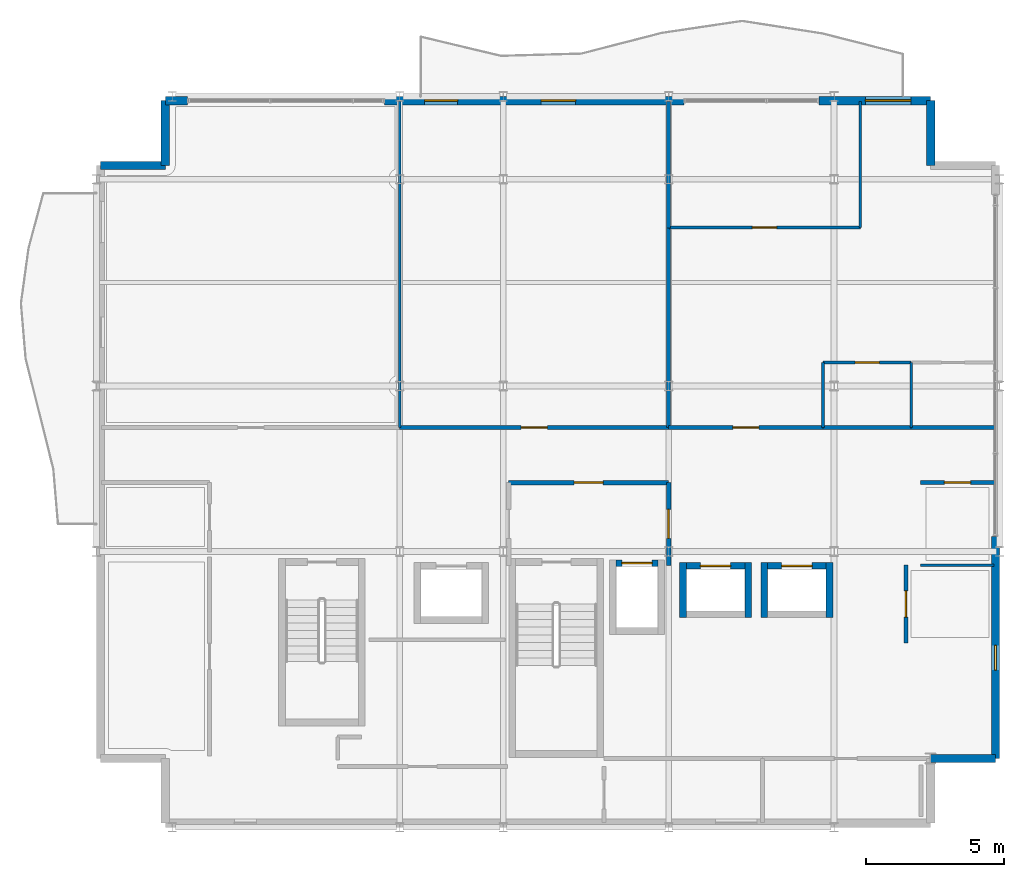
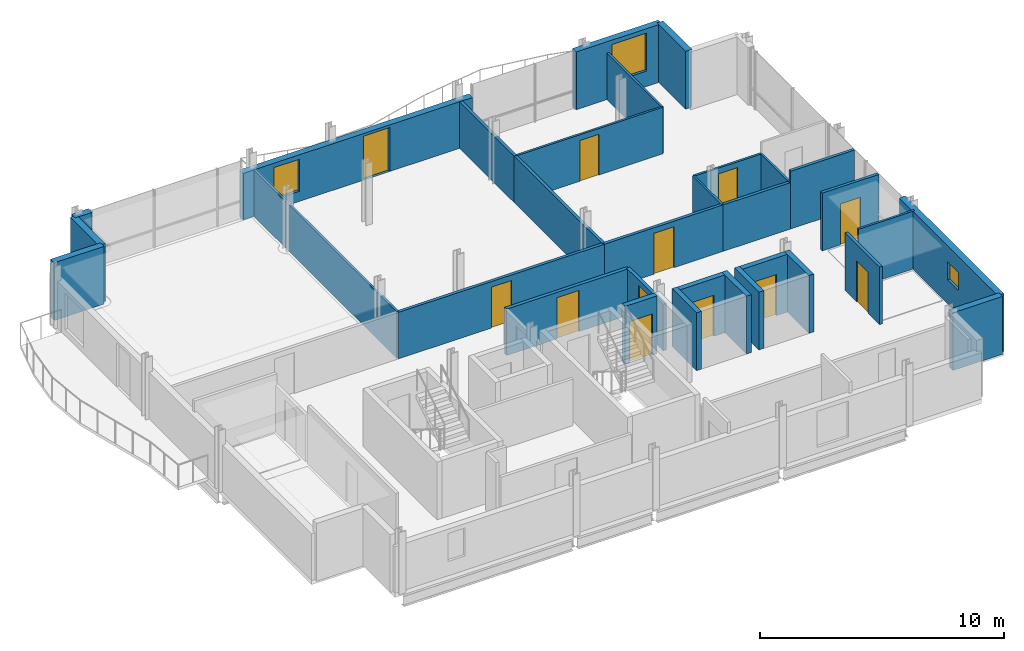
# One storey, part 9 of 12: 32 walls, 12 doors, 3 windows, 15 openings.
"""IFC4 building model written with IfcOpenShell, lengths in metres."""

from ifc_helpers import new_model, si_unit, direction, frame, frame_2d, origin, place, context, subcontext, project, spatial, rectangle, extrude, material, layer, layer_set, type_object, element, fill, save


model = new_model("IFC4")

# Units and contexts
model_context = context("Model", 3, precision=1e-05, world=origin(), true_north=direction((0.0, 1.0)))
body_context = subcontext(model_context, "Body", "Model", "MODEL_VIEW")
ifc_project = project(units=[si_unit("LENGTHUNIT", "METRE"), si_unit("AREAUNIT", "SQUARE_METRE"), si_unit("VOLUMEUNIT", "CUBIC_METRE"), si_unit("PLANEANGLEUNIT", "RADIAN"), si_unit("MASSUNIT", "GRAM", prefix="KILO")], contexts=[model_context])

# Site, building, storey
site_placement = place(None, origin())
site = spatial("IfcSite", under=ifc_project, at=site_placement, CompositionType="ELEMENT")
building_placement = place(site_placement, origin())
building = spatial("IfcBuilding", under=site, at=building_placement, Name="Brevholm Reach", CompositionType="ELEMENT")
storey_placement = place(building_placement, frame((0.0, 0.0, 233.5)))
storey = spatial("IfcBuildingStorey", under=building, at=storey_placement, Name="L71", CompositionType="ELEMENT", Elevation=233.5)

# Wall, opening, door
ifc_material_1 = material(Name="Concrete C45/55", Category="concrete")
ifc_layer_1 = layer(ifc_material_1, 0.239990234375)
ifc_layer_set_1 = layer_set([ifc_layer_1], Name="Concrete C45/55")
wall_type_1 = type_object("IfcWallType", Name="WAL-COR-240", PredefinedType="SHEAR", material=ifc_layer_set_1)
wall_1_placement = place(storey_placement, frame((46.090087890625, 9.580078125, 0.0), z_axis=(0.0, 0.0, 1.0), x_axis=(1.0, 0.0, 0.0)))
wall_1 = element("IfcWall", 1, at=wall_1_placement, inside=storey, type_object=wall_type_1, Name="L71 Lift FFL-2 Shaft Wall N", PredefinedType="SHEAR", context=body_context, shape_type="SweptSolid", body=[
    extrude(rectangle(XDim=1.52001953125, YDim=0.239990234375, at=frame_2d((0.760009765625, 0.0))), origin(), (0.0, 0.0, 1.0), 2.889892578125),
])
opening_1_placement = place(wall_1_placement, frame((0.2099609375, 0.0, 0.0)))
opening_1 = element("IfcOpeningElement", 2, at=opening_1_placement, cuts=wall_1, Name="Opening LD-FFL-2", PredefinedType="OPENING", context=body_context, shape_type="SweptSolid", body=[
    extrude(rectangle(XDim=1.10009765625, YDim=2.06005859375, at=frame_2d((0.550048828125, 1.030029296875))), frame((0.0, 0.1298828125, 0.0), z_axis=(0.0, -1.0, 0.0), x_axis=(1.0, 0.0, 0.0)), (0.0, 0.0, 1.0), 0.260009765625),
])
ifc_material_2 = material(Name="Brushed Stainless Steel Fire-Rated Sliding Lift Door", Category="steel")
door_type_1 = type_object("IfcDoorType", Name="DOR-LFT-1100", OperationType="NOTDEFINED", PredefinedType="DOOR", material=ifc_material_2)
door_1_placement = place(opening_1_placement, origin())
door_1 = element("IfcDoor", 3, at=door_1_placement, inside=storey, type_object=door_type_1, Name="L71 Lift FFL-2 Sliding Landing Door", OperationType="SLIDING_TO_RIGHT", OverallHeight=2.06005859375, OverallWidth=1.10009765625, PredefinedType="DOOR", context=body_context, shape_type="SweptSolid", body=[
    extrude(rectangle(XDim=1.10009765625, YDim=2.06005859375, at=frame_2d((0.550048828125, 1.030029296875))), frame((0.0, 0.02490234375, 0.0), z_axis=(0.0, -1.0, 0.0), x_axis=(1.0, 0.0, 0.0)), (0.0, 0.0, 1.0), 0.050048828125),
])
fill(opening_1, door_1)

# Walls
for number, where, z_axis, x_axis, name in (
    (4, (48.52001953125, 7.60009765625, 0.0), (0.0, 0.0, 1.0), (0.0, 1.0, 0.0), "L71 Lift PL-H1 Shaft Wall W"),
    (5, (50.8798828125, 7.60009765625, 0.0), (0.0, 0.0, 1.0), (0.0, 1.0, 0.0), "L71 Lift PL-H1 Shaft Wall E"),
):
    element("IfcWall", number, at=place(storey_placement, frame(where, z_axis=z_axis, x_axis=x_axis)), inside=storey, type_object=wall_type_1, Name=name, PredefinedType="SHEAR", context=body_context, shape_type="SweptSolid", body=[
        extrude(rectangle(XDim=2.0, YDim=0.239990234375, at=frame_2d((1.0, 0.0))), origin(), (0.0, 0.0, 1.0), 2.889892578125),
    ])

# Wall, opening, door
wall_2_placement = place(storey_placement, frame((48.639892578125, 9.47998046875, 0.0), z_axis=(0.0, 0.0, 1.0), x_axis=(1.0, 0.0, 0.0)))
wall_2 = element("IfcWall", 6, at=wall_2_placement, inside=storey, type_object=wall_type_1, Name="L71 Lift PL-H1 Shaft Wall N", PredefinedType="SHEAR", context=body_context, shape_type="SweptSolid", body=[
    extrude(rectangle(XDim=2.1201171875, YDim=0.239990234375, at=frame_2d((1.06005859375, 0.0))), origin(), (0.0, 0.0, 1.0), 2.889892578125),
])
opening_2_placement = place(wall_2_placement, frame((0.510009765625, 0.0, 0.0)))
opening_2 = element("IfcOpeningElement", 7, at=opening_2_placement, cuts=wall_2, Name="Opening LD-PL-H1", PredefinedType="OPENING", context=body_context, shape_type="SweptSolid", body=[
    extrude(rectangle(XDim=1.10009765625, YDim=2.06005859375, at=frame_2d((0.550048828125, 1.030029296875))), frame((0.0, 0.1298828125, 0.0), z_axis=(0.0, -1.0, 0.0), x_axis=(1.0, 0.0, 0.0)), (0.0, 0.0, 1.0), 0.260009765625),
])
door_2_placement = place(opening_2_placement, origin())
door_2 = element("IfcDoor", 8, at=door_2_placement, inside=storey, type_object=door_type_1, Name="L71 Lift PL-H1 Sliding Landing Door", OperationType="SLIDING_TO_RIGHT", OverallHeight=2.06005859375, OverallWidth=1.10009765625, PredefinedType="DOOR", context=body_context, shape_type="SweptSolid", body=[
    extrude(rectangle(XDim=1.10009765625, YDim=2.06005859375, at=frame_2d((0.550048828125, 1.030029296875))), frame((0.0, 0.02490234375, 0.0), z_axis=(0.0, -1.0, 0.0), x_axis=(1.0, 0.0, 0.0)), (0.0, 0.0, 1.0), 0.050048828125),
])
fill(opening_2, door_2)

# Walls
for number, where, z_axis, x_axis, name in (
    (9, (51.469970703125, 7.60009765625, 0.0), (0.0, 0.0, 1.0), (0.0, 1.0, 0.0), "L71 Lift PL-H2 Shaft Wall W"),
    (10, (53.830078125, 7.60009765625, 0.0), (0.0, 0.0, 1.0), (0.0, 1.0, 0.0), "L71 Lift PL-H2 Shaft Wall E"),
):
    element("IfcWall", number, at=place(storey_placement, frame(where, z_axis=z_axis, x_axis=x_axis)), inside=storey, type_object=wall_type_1, Name=name, PredefinedType="SHEAR", context=body_context, shape_type="SweptSolid", body=[
        extrude(rectangle(XDim=2.0, YDim=0.239990234375, at=frame_2d((1.0, 0.0))), origin(), (0.0, 0.0, 1.0), 2.889892578125),
    ])

# Wall, opening, door
wall_3_placement = place(storey_placement, frame((51.590087890625, 9.47998046875, 0.0), z_axis=(0.0, 0.0, 1.0), x_axis=(1.0, 0.0, 0.0)))
wall_3 = element("IfcWall", 11, at=wall_3_placement, inside=storey, type_object=wall_type_1, Name="L71 Lift PL-H2 Shaft Wall N", PredefinedType="SHEAR", context=body_context, shape_type="SweptSolid", body=[
    extrude(rectangle(XDim=2.119873046875, YDim=0.239990234375, at=frame_2d((1.06005859375, 0.0))), origin(), (0.0, 0.0, 1.0), 2.889892578125),
])
opening_3_placement = place(wall_3_placement, frame((0.510009765625, 0.0, 0.0)))
opening_3 = element("IfcOpeningElement", 12, at=opening_3_placement, cuts=wall_3, Name="Opening LD-PL-H2", PredefinedType="OPENING", context=body_context, shape_type="SweptSolid", body=[
    extrude(rectangle(XDim=1.10009765625, YDim=2.06005859375, at=frame_2d((0.550048828125, 1.030029296875))), frame((0.0, 0.1298828125, 0.0), z_axis=(0.0, -1.0, 0.0), x_axis=(1.0, 0.0, 0.0)), (0.0, 0.0, 1.0), 0.260009765625),
])
door_3_placement = place(opening_3_placement, origin())
door_3 = element("IfcDoor", 13, at=door_3_placement, inside=storey, type_object=door_type_1, Name="L71 Lift PL-H2 Sliding Landing Door", OperationType="SLIDING_TO_LEFT", OverallHeight=2.06005859375, OverallWidth=1.10009765625, PredefinedType="DOOR", context=body_context, shape_type="SweptSolid", body=[
    extrude(rectangle(XDim=1.10009765625, YDim=2.06005859375, at=frame_2d((0.550048828125, 1.030029296875))), frame((0.0, 0.02490234375, 0.0), z_axis=(0.0, -1.0, 0.0), x_axis=(1.0, 0.0, 0.0)), (0.0, 0.0, 1.0), 0.050048828125),
])
fill(opening_3, door_3)

# Walls
ifc_material_3 = material(Name="Concrete C40/50", Category="concrete")
ifc_layer_2 = layer(ifc_material_3, 0.300048828125)
ifc_layer_set_2 = layer_set([ifc_layer_2], Name="Concrete C40/50")
wall_type_2 = type_object("IfcWallType", Name="WAL-EXT-300", PredefinedType="STANDARD", material=ifc_layer_set_2)
for number, where, z_axis, x_axis, name in (
    (14, (57.5, 2.5, 0.0), (0.0, 0.0, 1.0), (1.0, 0.0, 0.0), "L71 Facade Wall WAL-L71-CSE2"),
    (15, (57.5, 24.0, 0.0), (0.0, 0.0, 1.0), (0.0, 1.0, 0.0), "L71 Facade Wall WAL-L71-CNE2"),
    (16, (29.75, 26.35009765625, 0.0), (0.0, 0.0, 1.0), (0.0, -1.0, 0.0), "L71 Facade Wall WAL-L71-CNW1"),
    (17, (29.75, 24.0, 0.0), (0.0, 0.0, 1.0), (-1.0, 0.0, 0.0), "L71 Facade Wall WAL-L71-CNW2"),
):
    element("IfcWall", number, at=place(storey_placement, frame(where, z_axis=z_axis, x_axis=x_axis)), inside=storey, type_object=wall_type_2, Name=name, PredefinedType="STANDARD", context=body_context, shape_type="SweptSolid", body=[
        extrude(rectangle(XDim=2.35009765625, YDim=0.300048828125, at=frame_2d((1.175048828125, 0.0))), origin(), (0.0, 0.0, 1.0), 2.889892578125),
    ])

# Wall, opening, window
wall_4_placement = place(storey_placement, frame((59.85009765625, 2.5, 0.0), z_axis=(0.0, 0.0, 1.0), x_axis=(0.0, 1.0, 0.0)))
wall_4 = element("IfcWall", 18, at=wall_4_placement, inside=storey, type_object=wall_type_2, Name="L71 Facade Wall WAL-L71-E-S", PredefinedType="STANDARD", context=body_context, shape_type="SweptSolid", body=[
    extrude(rectangle(XDim=8.050048828125, YDim=0.300048828125, at=frame_2d((4.02490234375, 0.0))), origin(), (0.0, 0.0, 1.0), 2.889892578125),
])
opening_4_placement = place(wall_4_placement, frame((3.199951171875, 0.0, 1.199951171875)))
opening_4 = element("IfcOpeningElement", 19, at=opening_4_placement, cuts=wall_4, Name="Opening WN-09", PredefinedType="OPENING", context=body_context, shape_type="SweptSolid", body=[
    extrude(rectangle(XDim=0.89990234375, YDim=0.89990234375, at=frame_2d((0.449951171875, 0.449951171875))), frame((0.0, 0.159912109375, 0.0), z_axis=(0.0, -1.0, 0.0), x_axis=(1.0, 0.0, 0.0)), (0.0, 0.0, 1.0), 0.320068359375),
])
ifc_material_4 = material(Name="Dark Anodised Aluminium and Solar-Control IGU Glass", Category="aluminium")
window_type_1 = type_object("IfcWindowType", Name="WIN-POR-0900", PartitioningType="SINGLE_PANEL", PredefinedType="WINDOW", material=ifc_material_4)
window_1_placement = place(opening_4_placement, origin())
window_1 = element("IfcWindow", 20, at=window_1_placement, inside=storey, type_object=window_type_1, Name="L71 Window WIN-L71-ES-1", OverallHeight=0.89990234375, OverallWidth=0.89990234375, PartitioningType="SINGLE_PANEL", PredefinedType="WINDOW", context=body_context, shape_type="SweptSolid", body=[
    extrude(rectangle(XDim=0.89990234375, YDim=0.89990234375, at=frame_2d((0.449951171875, 0.449951171875))), frame((0.0, 0.030029296875, 0.0), z_axis=(0.0, -1.0, 0.0), x_axis=(1.0, 0.0, 0.0)), (0.0, 0.0, 1.0), 0.06005859375),
])
fill(opening_4, window_1)

# Wall
wall_5_placement = place(storey_placement, frame((29.75, 26.35009765625, 0.0), z_axis=(0.0, 0.0, 1.0), x_axis=(1.0, 0.0, 0.0)))
element("IfcWall", 21, at=wall_5_placement, inside=storey, type_object=wall_type_2, Name="L71 Facade Wall WAL-L71-NP-1", PredefinedType="STANDARD", context=body_context, shape_type="SweptSolid", body=[
    extrude(rectangle(XDim=0.800048828125, YDim=0.300048828125, at=frame_2d((0.39990234375, 0.0))), origin(), (0.0, 0.0, 1.0), 2.889892578125),
])

# Wall, openings, door, window
wall_6_placement = place(storey_placement, frame((37.699951171875, 26.35009765625, 0.0), z_axis=(0.0, 0.0, 1.0), x_axis=(1.0, 0.0, 0.0)))
wall_6 = element("IfcWall", 22, at=wall_6_placement, inside=storey, type_object=wall_type_2, Name="L71 Facade Wall WAL-L71-NP-2", PredefinedType="STANDARD", context=body_context, shape_type="SweptSolid", body=[
    extrude(rectangle(XDim=10.85009765625, YDim=0.300048828125, at=frame_2d((5.425048828125, 0.0))), origin(), (0.0, 0.0, 1.0), 2.331787109375),
])
opening_5_placement = place(wall_6_placement, frame((5.677001953125, 0.0, 0.0)))
opening_5 = element("IfcOpeningElement", 23, at=opening_5_placement, cuts=wall_6, Name="Opening BD-02", PredefinedType="OPENING", context=body_context, shape_type="SweptSolid", body=[
    extrude(rectangle(XDim=1.25, YDim=2.199951171875, at=frame_2d((0.625, 1.10009765625))), frame((0.0, 0.159912109375, 0.0), z_axis=(0.0, -1.0, 0.0), x_axis=(1.0, 0.0, 0.0)), (0.0, 0.0, 1.0), 0.320068359375),
])
opening_6_placement = place(wall_6_placement, frame((1.449951171875, 0.0, 0.511962890625)))
opening_6 = element("IfcOpeningElement", 24, at=opening_6_placement, cuts=wall_6, Name="Opening WN-08", PredefinedType="OPENING", context=body_context, shape_type="SweptSolid", body=[
    extrude(rectangle(XDim=1.199951171875, YDim=1.60009765625, at=frame_2d((0.60009765625, 0.800048828125))), frame((0.0, 0.159912109375, 0.0), z_axis=(0.0, -1.0, 0.0), x_axis=(1.0, 0.0, 0.0)), (0.0, 0.0, 1.0), 0.320068359375),
])
ifc_material_5 = material(Name="Dark Anodised Aluminium and Triple-Glazed Glass", Category="aluminium")
door_type_2 = type_object("IfcDoorType", Name="DOR-BALC-1250", OperationType="NOTDEFINED", PredefinedType="DOOR", material=ifc_material_5)
door_4_placement = place(opening_5_placement, origin())
door_4 = element("IfcDoor", 25, at=door_4_placement, inside=storey, type_object=door_type_2, Name="L71 Exterior Door DOR-L71-BL-NE", OperationType="SINGLE_SWING_RIGHT", OverallHeight=2.199951171875, OverallWidth=1.25, PredefinedType="DOOR", context=body_context, shape_type="SweptSolid", body=[
    extrude(rectangle(XDim=1.25, YDim=2.199951171875, at=frame_2d((0.625, 1.10009765625))), frame((0.0, 0.02490234375, 0.0), z_axis=(0.0, -1.0, 0.0), x_axis=(1.0, 0.0, 0.0)), (0.0, 0.0, 1.0), 0.050048828125),
])
fill(opening_5, door_4)
ifc_material_6 = material(Name="Dark Anodised Aluminium and Solar-Control IGU Glass", Category="aluminium")
window_type_2 = type_object("IfcWindowType", Name="WIN-RES-1200", PartitioningType="SINGLE_PANEL", PredefinedType="WINDOW", material=ifc_material_6)
window_2_placement = place(opening_6_placement, origin())
window_2 = element("IfcWindow", 26, at=window_2_placement, inside=storey, type_object=window_type_2, Name="L71 Window WIN-L71-NP-2", OverallHeight=1.60009765625, OverallWidth=1.199951171875, PartitioningType="SINGLE_PANEL", PredefinedType="WINDOW", context=body_context, shape_type="SweptSolid", body=[
    extrude(rectangle(XDim=1.199951171875, YDim=1.60009765625, at=frame_2d((0.60009765625, 0.800048828125))), frame((0.0, 0.030029296875, 0.0), z_axis=(0.0, -1.0, 0.0), x_axis=(1.0, 0.0, 0.0)), (0.0, 0.0, 1.0), 0.06005859375),
])
fill(opening_6, window_2)

# Wall, opening, window
wall_7_placement = place(storey_placement, frame((53.449951171875, 26.35009765625, 0.0), z_axis=(0.0, 0.0, 1.0), x_axis=(1.0, 0.0, 0.0)))
wall_7 = element("IfcWall", 27, at=wall_7_placement, inside=storey, type_object=wall_type_2, Name="L71 Facade Wall WAL-L71-NP-4", PredefinedType="STANDARD", context=body_context, shape_type="SweptSolid", body=[
    extrude(rectangle(XDim=4.050048828125, YDim=0.300048828125, at=frame_2d((2.02490234375, 0.0))), origin(), (0.0, 0.0, 1.0), 2.889892578125),
])
opening_7_placement = place(wall_7_placement, frame((1.679931640625, 0.0, 0.77001953125)))
opening_7 = element("IfcOpeningElement", 28, at=opening_7_placement, cuts=wall_7, Name="Opening WN-06", PredefinedType="OPENING", context=body_context, shape_type="SweptSolid", body=[
    extrude(rectangle(XDim=1.64990234375, YDim=1.89990234375, at=frame_2d((0.824951171875, 0.949951171875))), frame((0.0, 0.159912109375, 0.0), z_axis=(0.0, -1.0, 0.0), x_axis=(1.0, 0.0, 0.0)), (0.0, 0.0, 1.0), 0.320068359375),
])
ifc_material_7 = material(Name="Dark Anodised Aluminium and Solar-Control IGU Glass", Category="aluminium")
window_type_3 = type_object("IfcWindowType", Name="WIN-RES-1650", PartitioningType="SINGLE_PANEL", PredefinedType="WINDOW", material=ifc_material_7)
window_3_placement = place(opening_7_placement, origin())
window_3 = element("IfcWindow", 29, at=window_3_placement, inside=storey, type_object=window_type_3, Name="L71 Window WIN-L71-NP-4", OverallHeight=1.89990234375, OverallWidth=1.64990234375, PartitioningType="SINGLE_PANEL", PredefinedType="WINDOW", context=body_context, shape_type="SweptSolid", body=[
    extrude(rectangle(XDim=1.64990234375, YDim=1.89990234375, at=frame_2d((0.824951171875, 0.949951171875))), frame((0.0, 0.030029296875, 0.0), z_axis=(0.0, -1.0, 0.0), x_axis=(1.0, 0.0, 0.0)), (0.0, 0.0, 1.0), 0.06005859375),
])
fill(opening_7, window_3)

# Walls
ifc_material_8 = material(Name="Moisture-Resistant Acoustic Gypsum Stud Partition 100 mm", Category="gypsum")
ifc_layer_3 = layer(ifc_material_8, 0.10009765625)
ifc_layer_set_3 = layer_set([ifc_layer_3], Name="Moisture-Resistant Acoustic Gypsum Stud Partition 100 mm")
wall_type_3 = type_object("IfcWallType", Name="WAL-PRT-100", PredefinedType="PARTITIONING", material=ifc_layer_set_3)
wall_8_placement = place(storey_placement, frame((57.138671875, 9.5, 0.0), z_axis=(0.0, 0.0, 1.0), x_axis=(1.0, 0.0, 0.0)))
element("IfcWall", 30, at=wall_8_placement, inside=storey, type_object=wall_type_3, Name="L71 Internal Partition 012", PredefinedType="PARTITIONING", context=body_context, shape_type="SweptSolid", body=[
    extrude(rectangle(XDim=2.661376953125, YDim=0.10009765625, at=frame_2d((1.33056640625, 0.0))), origin(), (0.0, 0.0, 1.0), 2.889892578125),
])
wall_9_placement = place(storey_placement, frame((38.25, 14.50390625, 0.0), z_axis=(0.0, 0.0, 1.0), x_axis=(0.0, 1.0, 0.0)))
element("IfcWall", 31, at=wall_9_placement, inside=storey, type_object=wall_type_3, Name="L71 Internal Partition 020", PredefinedType="PARTITIONING", context=body_context, shape_type="SweptSolid", body=[
    extrude(rectangle(XDim=11.816162109375, YDim=0.10009765625, at=frame_2d((5.908203125, 0.0))), origin(), (0.0, 0.0, 1.0), 2.325439453125),
])
wall_10_placement = place(storey_placement, frame((56.800048828125, 14.50390625, 0.0), z_axis=(0.0, 0.0, 1.0), x_axis=(0.0, 1.0, 0.0)))
element("IfcWall", 32, at=wall_10_placement, inside=storey, type_object=wall_type_3, Name="L71 Internal Partition 023", PredefinedType="PARTITIONING", context=body_context, shape_type="SweptSolid", body=[
    extrude(rectangle(XDim=2.34619140625, YDim=0.10009765625, at=frame_2d((1.173095703125, 0.0))), origin(), (0.0, 0.0, 1.0), 2.325439453125),
])

# Wall, opening, door
wall_11_placement = place(storey_placement, frame((53.60009765625, 16.85009765625, 0.0), z_axis=(0.0, 0.0, 1.0), x_axis=(1.0, 0.0, 0.0)))
wall_11 = element("IfcWall", 33, at=wall_11_placement, inside=storey, type_object=wall_type_3, Name="L71 Internal Partition 025", PredefinedType="PARTITIONING", context=body_context, shape_type="SweptSolid", body=[
    extrude(rectangle(XDim=3.19580078125, YDim=0.10009765625, at=frame_2d((1.597900390625, 0.0))), origin(), (0.0, 0.0, 1.0), 2.325439453125),
])
opening_8_placement = place(wall_11_placement, frame((1.157958984375, 0.0, 0.0)))
opening_8 = element("IfcOpeningElement", 34, at=opening_8_placement, cuts=wall_11, Name="Opening ID-01", PredefinedType="OPENING", context=body_context, shape_type="SweptSolid", body=[
    extrude(rectangle(XDim=0.8798828125, YDim=2.0400390625, at=frame_2d((0.43994140625, 1.02001953125))), frame((0.0, 0.06005859375, 0.0), z_axis=(0.0, -1.0, 0.0), x_axis=(1.0, 0.0, 0.0)), (0.0, 0.0, 1.0), 0.1201171875),
])
ifc_material_9 = material(Name="Lacquered Ash Solid-Core Acoustic Internal Door", Category="timber")
door_type_3 = type_object("IfcDoorType", Name="DOR-INT-880", OperationType="NOTDEFINED", PredefinedType="DOOR", material=ifc_material_9)
door_5_placement = place(opening_8_placement, origin())
door_5 = element("IfcDoor", 35, at=door_5_placement, inside=storey, type_object=door_type_3, Name="L71 Internal Door 015", OperationType="SINGLE_SWING_LEFT", OverallHeight=2.0400390625, OverallWidth=0.8798828125, PredefinedType="DOOR", context=body_context, shape_type="SweptSolid", body=[
    extrude(rectangle(XDim=0.8798828125, YDim=2.0400390625, at=frame_2d((0.43994140625, 1.02001953125))), frame((0.0, 0.02490234375, 0.0), z_axis=(0.0, -1.0, 0.0), x_axis=(1.0, 0.0, 0.0)), (0.0, 0.0, 1.0), 0.050048828125),
])
fill(opening_8, door_5)

# Walls
wall_12_placement = place(storey_placement, frame((53.60009765625, 14.50390625, 0.0), z_axis=(0.0, 0.0, 1.0), x_axis=(0.0, 1.0, 0.0)))
element("IfcWall", 36, at=wall_12_placement, inside=storey, type_object=wall_type_3, Name="L71 Internal Partition 026", PredefinedType="PARTITIONING", context=body_context, shape_type="SweptSolid", body=[
    extrude(rectangle(XDim=2.34619140625, YDim=0.10009765625, at=frame_2d((1.173095703125, 0.0))), origin(), (0.0, 0.0, 1.0), 2.325439453125),
])
wall_13_placement = place(storey_placement, frame((54.949951171875, 21.75, 0.0), z_axis=(0.0, 0.0, 1.0), x_axis=(0.0, 1.0, 0.0)))
element("IfcWall", 37, at=wall_13_placement, inside=storey, type_object=wall_type_3, Name="L71 Internal Partition 027", PredefinedType="PARTITIONING", context=body_context, shape_type="SweptSolid", body=[
    extrude(rectangle(XDim=4.570068359375, YDim=0.10009765625, at=frame_2d((2.28515625, 0.0))), origin(), (0.0, 0.0, 1.0), 2.325439453125),
])

# Wall, opening, door
wall_14_placement = place(storey_placement, frame((48.00390625, 21.75, 0.0), z_axis=(0.0, 0.0, 1.0), x_axis=(1.0, 0.0, 0.0)))
wall_14 = element("IfcWall", 38, at=wall_14_placement, inside=storey, type_object=wall_type_3, Name="L71 Internal Partition 028", PredefinedType="PARTITIONING", context=body_context, shape_type="SweptSolid", body=[
    extrude(rectangle(XDim=6.946044921875, YDim=0.10009765625, at=frame_2d((3.47314453125, 0.0))), origin(), (0.0, 0.0, 1.0), 2.325439453125),
])
opening_9_placement = place(wall_14_placement, frame((3.032958984375, 0.0, 0.0)))
opening_9 = element("IfcOpeningElement", 39, at=opening_9_placement, cuts=wall_14, Name="Opening ID-01", PredefinedType="OPENING", context=body_context, shape_type="SweptSolid", body=[
    extrude(rectangle(XDim=0.8798828125, YDim=2.0400390625, at=frame_2d((0.43994140625, 1.02001953125))), frame((0.0, 0.06005859375, 0.0), z_axis=(0.0, -1.0, 0.0), x_axis=(1.0, 0.0, 0.0)), (0.0, 0.0, 1.0), 0.1201171875),
])
door_6_placement = place(opening_9_placement, origin())
door_6 = element("IfcDoor", 40, at=door_6_placement, inside=storey, type_object=door_type_3, Name="L71 Internal Door 016", OperationType="SINGLE_SWING_RIGHT", OverallHeight=2.0400390625, OverallWidth=0.8798828125, PredefinedType="DOOR", context=body_context, shape_type="SweptSolid", body=[
    extrude(rectangle(XDim=0.8798828125, YDim=2.0400390625, at=frame_2d((0.43994140625, 1.02001953125))), frame((0.0, 0.02490234375, 0.0), z_axis=(0.0, -1.0, 0.0), x_axis=(1.0, 0.0, 0.0)), (0.0, 0.0, 1.0), 0.050048828125),
])
fill(opening_9, door_6)

ifc_material_10 = material(Name="Twin-Stud Acoustic Fire-Rated Gypsum Partition 140 mm", Category="gypsum")
ifc_layer_4 = layer(ifc_material_10, 0.139892578125)
ifc_layer_set_4 = layer_set([ifc_layer_4], Name="Twin-Stud Acoustic Fire-Rated Gypsum Partition 140 mm")
wall_type_4 = type_object("IfcWallType", Name="WAL-PRT-140", PredefinedType="PARTITIONING", material=ifc_layer_set_4)
wall_15_placement = place(storey_placement, frame((56.60009765625, 6.688720703125, 0.0), z_axis=(0.0, 0.0, 1.0), x_axis=(0.0, 1.0, 0.0)))
wall_15 = element("IfcWall", 41, at=wall_15_placement, inside=storey, type_object=wall_type_4, Name="L71 Internal Partition 005", PredefinedType="PARTITIONING", context=body_context, shape_type="SweptSolid", body=[
    extrude(rectangle(XDim=2.822509765625, YDim=0.139892578125, at=frame_2d((1.4111328125, 0.0))), origin(), (0.0, 0.0, 1.0), 2.889892578125),
])
opening_10_placement = place(wall_15_placement, frame((0.936279296875, 0.0, 0.0)))
opening_10 = element("IfcOpeningElement", 42, at=opening_10_placement, cuts=wall_15, Name="Opening ID-30", PredefinedType="OPENING", context=body_context, shape_type="SweptSolid", body=[
    extrude(rectangle(XDim=0.949951171875, YDim=2.050048828125, at=frame_2d((0.47509765625, 1.02490234375))), frame((0.0, 0.079833984375, 0.0), z_axis=(0.0, -1.0, 0.0), x_axis=(1.0, 0.0, 0.0)), (0.0, 0.0, 1.0), 0.159912109375),
])
ifc_material_11 = material(Name="European Oak Veneered Solid-Core Fire Entrance Door", Category="timber")
door_type_4 = type_object("IfcDoorType", Name="DOR-FLT-FD30S", OperationType="NOTDEFINED", PredefinedType="DOOR", material=ifc_material_11)
door_7_placement = place(opening_10_placement, origin())
door_7 = element("IfcDoor", 43, at=door_7_placement, inside=storey, type_object=door_type_4, Name="L71 Internal Door 005", OperationType="SINGLE_SWING_LEFT", OverallHeight=2.050048828125, OverallWidth=0.949951171875, PredefinedType="DOOR", context=body_context, shape_type="SweptSolid", body=[
    extrude(rectangle(XDim=0.949951171875, YDim=2.050048828125, at=frame_2d((0.47509765625, 1.02490234375))), frame((0.0, 0.02490234375, 0.0), z_axis=(0.0, -1.0, 0.0), x_axis=(1.0, 0.0, 0.0)), (0.0, 0.0, 1.0), 0.050048828125),
])
fill(opening_10, door_7)

wall_16_placement = place(storey_placement, frame((57.138671875, 12.5, 0.0), z_axis=(0.0, 0.0, 1.0), x_axis=(1.0, 0.0, 0.0)))
wall_16 = element("IfcWall", 44, at=wall_16_placement, inside=storey, type_object=wall_type_4, Name="L71 Internal Partition 013", PredefinedType="PARTITIONING", context=body_context, shape_type="SweptSolid", body=[
    extrude(rectangle(XDim=2.672607421875, YDim=0.139892578125, at=frame_2d((1.33642578125, 0.0))), origin(), (0.0, 0.0, 1.0), 2.889892578125),
])
opening_11_placement = place(wall_16_placement, frame((0.861328125, 0.0, 0.0)))
opening_11 = element("IfcOpeningElement", 45, at=opening_11_placement, cuts=wall_16, Name="Opening ID-30", PredefinedType="OPENING", context=body_context, shape_type="SweptSolid", body=[
    extrude(rectangle(XDim=0.949951171875, YDim=2.050048828125, at=frame_2d((0.47509765625, 1.02490234375))), frame((0.0, 0.079833984375, 0.0), z_axis=(0.0, -1.0, 0.0), x_axis=(1.0, 0.0, 0.0)), (0.0, 0.0, 1.0), 0.159912109375),
])
door_8_placement = place(opening_11_placement, origin())
door_8 = element("IfcDoor", 46, at=door_8_placement, inside=storey, type_object=door_type_4, Name="L71 Internal Door 010", OperationType="SINGLE_SWING_RIGHT", OverallHeight=2.050048828125, OverallWidth=0.949951171875, PredefinedType="DOOR", context=body_context, shape_type="SweptSolid", body=[
    extrude(rectangle(XDim=0.949951171875, YDim=2.050048828125, at=frame_2d((0.47509765625, 1.02490234375))), frame((0.0, 0.02490234375, 0.0), z_axis=(0.0, -1.0, 0.0), x_axis=(1.0, 0.0, 0.0)), (0.0, 0.0, 1.0), 0.050048828125),
])
fill(opening_11, door_8)

wall_17_placement = place(storey_placement, frame((38.24267578125, 14.5, 0.0), z_axis=(0.0, 0.0, 1.0), x_axis=(1.0, 0.0, 0.0)))
wall_17 = element("IfcWall", 47, at=wall_17_placement, inside=storey, type_object=wall_type_4, Name="L71 Internal Partition 016", PredefinedType="PARTITIONING", context=body_context, shape_type="SweptSolid", body=[
    extrude(rectangle(XDim=9.7685546875, YDim=0.139892578125, at=frame_2d((4.88427734375, 0.0))), origin(), (0.0, 0.0, 1.0), 2.325439453125),
])
opening_12_placement = place(wall_17_placement, frame((4.4091796875, 0.0, 0.0)))
opening_12 = element("IfcOpeningElement", 48, at=opening_12_placement, cuts=wall_17, Name="Opening ID-30", PredefinedType="OPENING", context=body_context, shape_type="SweptSolid", body=[
    extrude(rectangle(XDim=0.949951171875, YDim=2.050048828125, at=frame_2d((0.47509765625, 1.02490234375))), frame((0.0, 0.079833984375, 0.0), z_axis=(0.0, -1.0, 0.0), x_axis=(1.0, 0.0, 0.0)), (0.0, 0.0, 1.0), 0.159912109375),
])
door_9_placement = place(opening_12_placement, origin())
door_9 = element("IfcDoor", 49, at=door_9_placement, inside=storey, type_object=door_type_4, Name="L71 Internal Door 012", OperationType="SINGLE_SWING_RIGHT", OverallHeight=2.050048828125, OverallWidth=0.949951171875, PredefinedType="DOOR", context=body_context, shape_type="SweptSolid", body=[
    extrude(rectangle(XDim=0.949951171875, YDim=2.050048828125, at=frame_2d((0.47509765625, 1.02490234375))), frame((0.0, 0.02490234375, 0.0), z_axis=(0.0, -1.0, 0.0), x_axis=(1.0, 0.0, 0.0)), (0.0, 0.0, 1.0), 0.050048828125),
])
fill(opening_12, door_9)

# Walls
wall_18_placement = place(storey_placement, frame((56.788818359375, 14.5, 0.0), z_axis=(0.0, 0.0, 1.0), x_axis=(1.0, 0.0, 0.0)))
element("IfcWall", 50, at=wall_18_placement, inside=storey, type_object=wall_type_4, Name="L71 Internal Partition 017", PredefinedType="PARTITIONING", context=body_context, shape_type="SweptSolid", body=[
    extrude(rectangle(XDim=3.03125, YDim=0.139892578125, at=frame_2d((1.515625, 0.0))), origin(), (0.0, 0.0, 1.0), 2.889892578125),
])
wall_19_placement = place(storey_placement, frame((53.588623046875, 14.5, 0.0), z_axis=(0.0, 0.0, 1.0), x_axis=(1.0, 0.0, 0.0)))
element("IfcWall", 51, at=wall_19_placement, inside=storey, type_object=wall_type_4, Name="L71 Internal Partition 018", PredefinedType="PARTITIONING", context=body_context, shape_type="SweptSolid", body=[
    extrude(rectangle(XDim=3.21875, YDim=0.139892578125, at=frame_2d((1.609375, 0.0))), origin(), (0.0, 0.0, 1.0), 2.325439453125),
])

# Wall, opening, door
wall_20_placement = place(storey_placement, frame((47.99267578125, 14.5, 0.0), z_axis=(0.0, 0.0, 1.0), x_axis=(1.0, 0.0, 0.0)))
wall_20 = element("IfcWall", 52, at=wall_20_placement, inside=storey, type_object=wall_type_4, Name="L71 Internal Partition 019", PredefinedType="PARTITIONING", context=body_context, shape_type="SweptSolid", body=[
    extrude(rectangle(XDim=5.61474609375, YDim=0.139892578125, at=frame_2d((2.807373046875, 0.0))), origin(), (0.0, 0.0, 1.0), 2.325439453125),
])
opening_13_placement = place(wall_20_placement, frame((2.332275390625, 0.0, 0.0)))
opening_13 = element("IfcOpeningElement", 53, at=opening_13_placement, cuts=wall_20, Name="Opening ID-30", PredefinedType="OPENING", context=body_context, shape_type="SweptSolid", body=[
    extrude(rectangle(XDim=0.949951171875, YDim=2.050048828125, at=frame_2d((0.47509765625, 1.02490234375))), frame((0.0, 0.079833984375, 0.0), z_axis=(0.0, -1.0, 0.0), x_axis=(1.0, 0.0, 0.0)), (0.0, 0.0, 1.0), 0.159912109375),
])
door_10_placement = place(opening_13_placement, origin())
door_10 = element("IfcDoor", 54, at=door_10_placement, inside=storey, type_object=door_type_4, Name="L71 Internal Door 013", OperationType="SINGLE_SWING_LEFT", OverallHeight=2.050048828125, OverallWidth=0.949951171875, PredefinedType="DOOR", context=body_context, shape_type="SweptSolid", body=[
    extrude(rectangle(XDim=0.949951171875, YDim=2.050048828125, at=frame_2d((0.47509765625, 1.02490234375))), frame((0.0, 0.02490234375, 0.0), z_axis=(0.0, -1.0, 0.0), x_axis=(1.0, 0.0, 0.0)), (0.0, 0.0, 1.0), 0.050048828125),
])
fill(opening_13, door_10)

# Walls
wall_21_placement = place(storey_placement, frame((48.0, 21.73876953125, 0.0), z_axis=(0.0, 0.0, 1.0), x_axis=(0.0, 1.0, 0.0)))
element("IfcWall", 55, at=wall_21_placement, inside=storey, type_object=wall_type_4, Name="L71 Internal Partition 021", PredefinedType="PARTITIONING", context=body_context, shape_type="SweptSolid", body=[
    extrude(rectangle(XDim=4.581298828125, YDim=0.139892578125, at=frame_2d((2.29052734375, 0.0))), origin(), (0.0, 0.0, 1.0), 2.325439453125),
])
wall_22_placement = place(storey_placement, frame((48.0, 14.50390625, 0.0), z_axis=(0.0, 0.0, 1.0), x_axis=(0.0, 1.0, 0.0)))
element("IfcWall", 56, at=wall_22_placement, inside=storey, type_object=wall_type_4, Name="L71 Internal Partition 022", PredefinedType="PARTITIONING", context=body_context, shape_type="SweptSolid", body=[
    extrude(rectangle(XDim=7.25341796875, YDim=0.139892578125, at=frame_2d((3.626708984375, 0.0))), origin(), (0.0, 0.0, 1.0), 2.325439453125),
])

# Wall, opening, door
ifc_material_12 = material(Name="Twin-Frame Fire-Rated Gypsum Board and Mineral Wool 160 mm", Category="gypsum")
ifc_layer_5 = layer(ifc_material_12, 0.159912109375)
ifc_layer_set_5 = layer_set([ifc_layer_5], Name="Twin-Frame Fire-Rated Gypsum Board and Mineral Wool 160 mm")
wall_type_5 = type_object("IfcWallType", Name="WAL-PRT-160", PredefinedType="PARTITIONING", material=ifc_layer_set_5)
wall_23_placement = place(storey_placement, frame((48.0, 9.5, 0.0), z_axis=(0.0, 0.0, 1.0), x_axis=(0.0, 1.0, 0.0)))
wall_23 = element("IfcWall", 57, at=wall_23_placement, inside=storey, type_object=wall_type_5, Name="L71 Internal Partition 010", PredefinedType="PARTITIONING", context=body_context, shape_type="SweptSolid", body=[
    extrude(rectangle(XDim=3.0, YDim=0.159912109375, at=frame_2d((1.5, 0.0))), origin(), (0.0, 0.0, 1.0), 2.325439453125),
])
opening_14_placement = place(wall_23_placement, frame((0.97509765625, 0.0, 0.0)))
opening_14 = element("IfcOpeningElement", 58, at=opening_14_placement, cuts=wall_23, Name="Opening FD-01", PredefinedType="OPENING", context=body_context, shape_type="SweptSolid", body=[
    extrude(rectangle(XDim=1.050048828125, YDim=2.06005859375, at=frame_2d((0.52490234375, 1.030029296875))), frame((0.0, 0.08984375, 0.0), z_axis=(0.0, -1.0, 0.0), x_axis=(1.0, 0.0, 0.0)), (0.0, 0.0, 1.0), 0.179931640625),
])
ifc_material_13 = material(Name="Hardwood-Lipped Steel-Core Fire and Smoke Door", Category="steel")
door_type_5 = type_object("IfcDoorType", Name="DOR-INT-FD60S", OperationType="NOTDEFINED", PredefinedType="DOOR", material=ifc_material_13)
door_11_placement = place(opening_14_placement, origin())
door_11 = element("IfcDoor", 59, at=door_11_placement, inside=storey, type_object=door_type_5, Name="L71 Internal Door 008", OperationType="SINGLE_SWING_RIGHT", OverallHeight=2.06005859375, OverallWidth=1.050048828125, PredefinedType="DOOR", context=body_context, shape_type="SweptSolid", body=[
    extrude(rectangle(XDim=1.050048828125, YDim=2.06005859375, at=frame_2d((0.52490234375, 1.030029296875))), frame((0.0, 0.02490234375, 0.0), z_axis=(0.0, -1.0, 0.0), x_axis=(1.0, 0.0, 0.0)), (0.0, 0.0, 1.0), 0.050048828125),
])
fill(opening_14, door_11)

wall_24_placement = place(storey_placement, frame((42.199951171875, 12.5, 0.0), z_axis=(0.0, 0.0, 1.0), x_axis=(1.0, 0.0, 0.0)))
wall_24 = element("IfcWall", 60, at=wall_24_placement, inside=storey, type_object=wall_type_5, Name="L71 Internal Partition 011", PredefinedType="PARTITIONING", context=body_context, shape_type="SweptSolid", body=[
    extrude(rectangle(XDim=5.800048828125, YDim=0.159912109375, at=frame_2d((2.89990234375, 0.0))), origin(), (0.0, 0.0, 1.0), 2.325439453125),
])
opening_15_placement = place(wall_24_placement, frame((2.375, 0.0, 0.0)))
opening_15 = element("IfcOpeningElement", 61, at=opening_15_placement, cuts=wall_24, Name="Opening FD-01", PredefinedType="OPENING", context=body_context, shape_type="SweptSolid", body=[
    extrude(rectangle(XDim=1.050048828125, YDim=2.06005859375, at=frame_2d((0.52490234375, 1.030029296875))), frame((0.0, 0.08984375, 0.0), z_axis=(0.0, -1.0, 0.0), x_axis=(1.0, 0.0, 0.0)), (0.0, 0.0, 1.0), 0.179931640625),
])
door_12_placement = place(opening_15_placement, origin())
door_12 = element("IfcDoor", 62, at=door_12_placement, inside=storey, type_object=door_type_5, Name="L71 Internal Door 009", OperationType="SINGLE_SWING_LEFT", OverallHeight=2.06005859375, OverallWidth=1.050048828125, PredefinedType="DOOR", context=body_context, shape_type="SweptSolid", body=[
    extrude(rectangle(XDim=1.050048828125, YDim=2.06005859375, at=frame_2d((0.52490234375, 1.030029296875))), frame((0.0, 0.02490234375, 0.0), z_axis=(0.0, -1.0, 0.0), x_axis=(1.0, 0.0, 0.0)), (0.0, 0.0, 1.0), 0.050048828125),
])
fill(opening_15, door_12)

save(model, "model.ifc")
